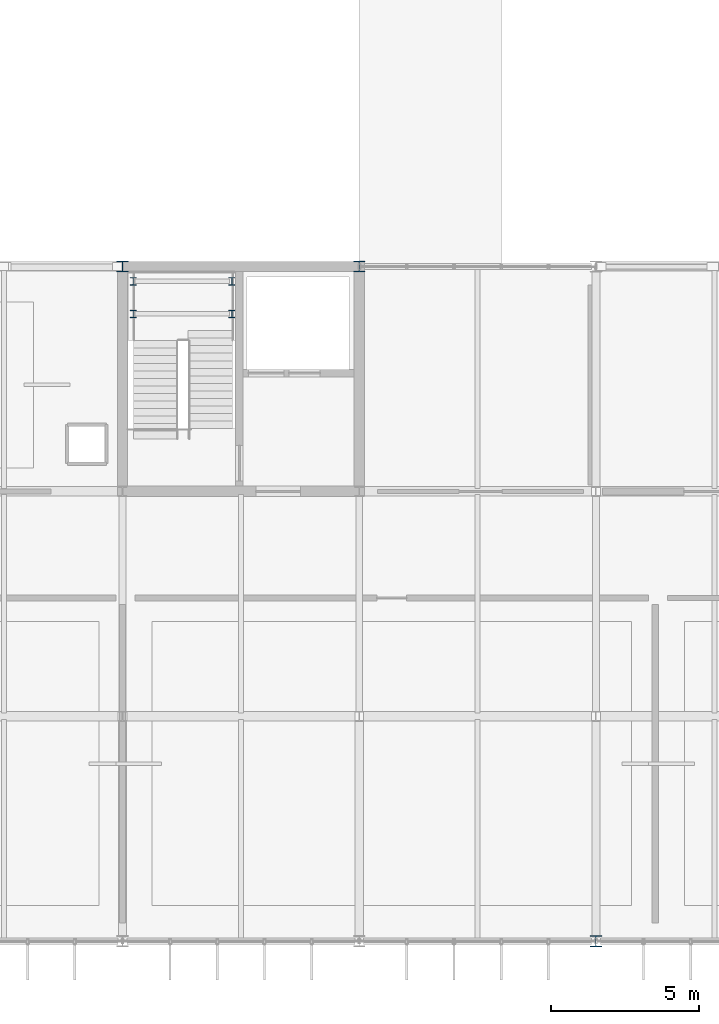
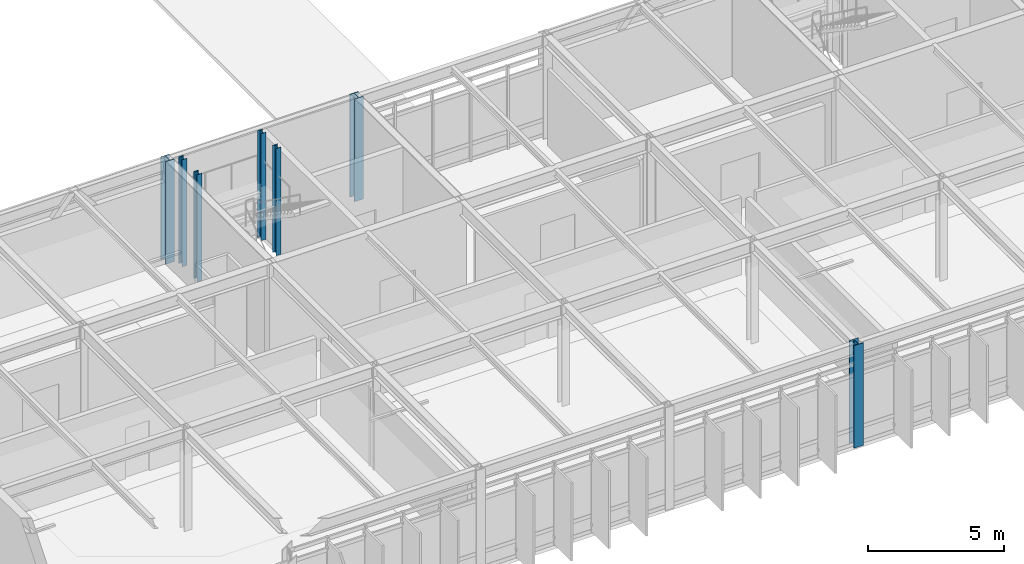
# One storey, part 2 of 100: 7 columns.
"""IFC4 building model written with IfcOpenShell, lengths in metres."""

from ifc_helpers import new_model, si_unit, direction, frame, origin, origin_2d, place, context, subcontext, project, spatial, i_section, extrude, material, material_profile, profile_set, type_object, element, save


model = new_model("IFC4")

# Units and contexts
model_context = context("Model", 3, precision=1e-05, world=origin(), true_north=direction((0.0, 1.0)))
body_context = subcontext(model_context, "Body", "Model", "MODEL_VIEW")
ifc_project = project(units=[si_unit("LENGTHUNIT", "METRE"), si_unit("AREAUNIT", "SQUARE_METRE"), si_unit("VOLUMEUNIT", "CUBIC_METRE"), si_unit("PLANEANGLEUNIT", "RADIAN"), si_unit("MASSUNIT", "GRAM", prefix="KILO")], contexts=[model_context])

# Site, building, storey
site_placement = place(None, origin())
site = spatial("IfcSite", under=ifc_project, at=site_placement, CompositionType="ELEMENT")
building_placement = place(site_placement, origin())
building = spatial("IfcBuilding", under=site, at=building_placement, Name="Zulena Civic Courthouse", CompositionType="ELEMENT")
storey_placement = place(building_placement, frame((0.0, 0.0, 20.39990234375)))
storey = spatial("IfcBuildingStorey", under=building, at=storey_placement, Name="L04", CompositionType="ELEMENT", Elevation=20.39990234375)

# Columns
ifc_material = material(Name="Steel ASTM A992 Grade 50", Category="steel")
ifc_material_profile_1 = material_profile(ifc_material, i_section(OverallWidth=0.2041015625, OverallDepth=0.257080078125, WebThickness=0.0087890625, FlangeThickness=0.015625, FilletRadius=0.0126953125, at=origin_2d()), Name="W10X45")
ifc_profile_set_1 = profile_set([ifc_material_profile_1], Name="Steel ASTM A992 Grade 50")
column_type_1 = type_object("IfcColumnType", Name="Col_W10X45", PredefinedType="COLUMN", material=ifc_profile_set_1)
for number, where, z_axis, x_axis, name in (
    (1, (20.360107421875, 21.199951171875, 0.0), (0.0, 0.0, 1.0), (1.0, 0.0, 0.0), "col:lnd:K2A:L04:0:0"),
    (2, (23.699951171875, 21.199951171875, 0.0), (0.0, 0.0, 1.0), (1.0, 0.0, 0.0), "col:lnd:K2A:L04:0:1"),
    (3, (20.360107421875, 22.300048828125, 0.0), (0.0, 0.0, 1.0), (1.0, 0.0, 0.0), "col:lnd:K2A:L04:1:0"),
    (4, (23.699951171875, 22.300048828125, 0.0), (0.0, 0.0, 1.0), (1.0, 0.0, 0.0), "col:lnd:K2A:L04:1:1"),
):
    element("IfcColumn", number, at=place(storey_placement, frame(where, z_axis=z_axis, x_axis=x_axis)), inside=storey, type_object=column_type_1, Name=name, PredefinedType="COLUMN", context=body_context, shape_type="SweptSolid", body=[
        extrude(i_section(OverallWidth=0.2041015625, OverallDepth=0.257080078125, WebThickness=0.0087890625, FlangeThickness=0.015625, FilletRadius=0.0126953125, at=origin_2d()), origin(), (0.0, 0.0, 1.0), 4.795166015625),
    ])
ifc_material_profile_2 = material_profile(ifc_material, i_section(OverallWidth=0.373046875, OverallDepth=0.367919921875, WebThickness=0.014892578125, FlangeThickness=0.02392578125, FilletRadius=0.01513671875, at=origin_2d()), Name="W14X120")
ifc_profile_set_2 = profile_set([ifc_material_profile_2], Name="Steel ASTM A992 Grade 50")
column_type_2 = type_object("IfcColumnType", Name="Col_W14X120", PredefinedType="COLUMN", material=ifc_profile_set_2)
for number, where, z_axis, x_axis, name in (
    (5, (20.0, 22.800048828125, 0.0), (0.0, 0.0, 1.0), (1.0, 0.0, 0.0), "col:V2:L04:20.0:22.8"),
    (6, (28.0, 22.800048828125, 0.0), (0.0, 0.0, 1.0), (1.0, 0.0, 0.0), "col:V2:L04:28.0:22.8"),
):
    element("IfcColumn", number, at=place(storey_placement, frame(where, z_axis=z_axis, x_axis=x_axis)), inside=storey, type_object=column_type_2, Name=name, PredefinedType="COLUMN", context=body_context, shape_type="SweptSolid", body=[
        extrude(i_section(OverallWidth=0.373046875, OverallDepth=0.367919921875, WebThickness=0.014892578125, FlangeThickness=0.02392578125, FilletRadius=0.01513671875, at=origin_2d()), origin(), (0.0, 0.0, 1.0), 4.59521484375),
    ])
ifc_material_profile_3 = material_profile(ifc_material, i_section(OverallWidth=0.39404296875, OverallDepth=0.3759765625, WebThickness=0.017333984375, FlangeThickness=0.027587890625, FilletRadius=0.01513671875, at=origin_2d()), Name="W14X145")
ifc_profile_set_3 = profile_set([ifc_material_profile_3], Name="Steel ASTM A992 Grade 50")
column_type_3 = type_object("IfcColumnType", Name="Col_W14X145", PredefinedType="COLUMN", material=ifc_profile_set_3)
column_placement = place(storey_placement, frame((36.0, 0.0, 0.0), z_axis=(0.0, 0.0, 1.0), x_axis=(1.0, 0.0, 0.0)))
element("IfcColumn", 7, at=column_placement, inside=storey, type_object=column_type_3, Name="col:V2:L04:36.0:0.0", PredefinedType="COLUMN", context=body_context, shape_type="SweptSolid", body=[
    extrude(i_section(OverallWidth=0.39404296875, OverallDepth=0.3759765625, WebThickness=0.017333984375, FlangeThickness=0.027587890625, FilletRadius=0.01513671875, at=origin_2d()), origin(), (0.0, 0.0, 1.0), 4.59521484375),
])

save(model, "model.ifc")
